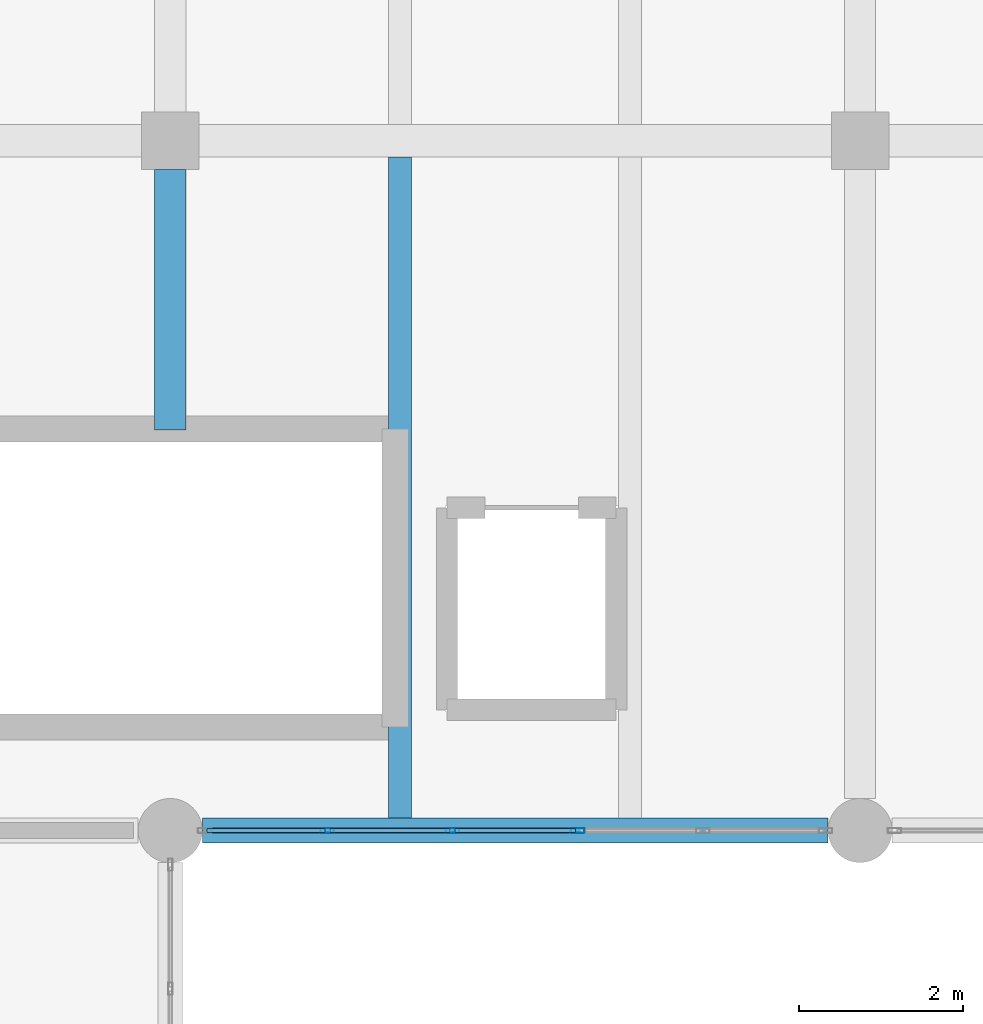
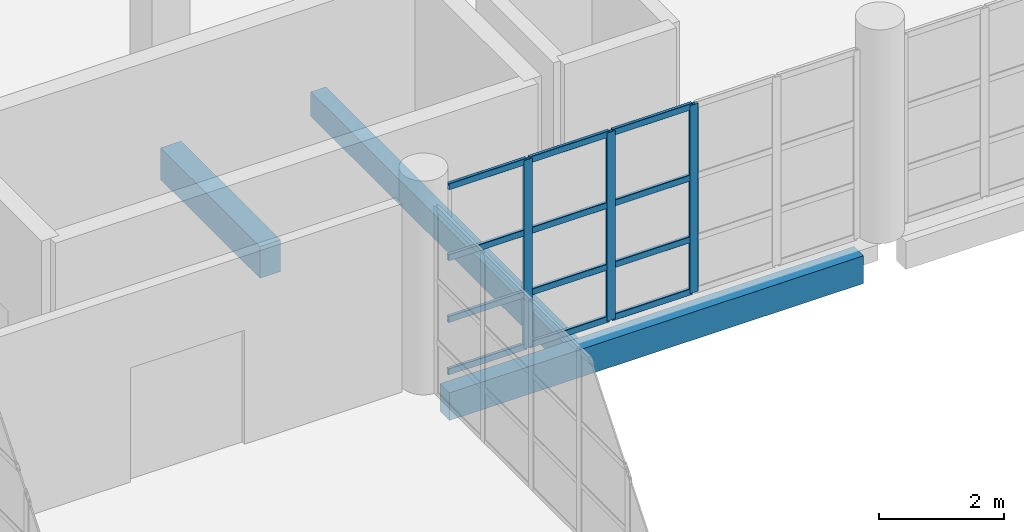
# One storey, part 62 of 177: 15 members, 3 beams, 1 element without a shape of its own.
"""IFC4 building model written with IfcOpenShell, lengths in metres."""

from ifc_helpers import new_model, si_unit, direction, frame, origin, origin_2d, place, context, subcontext, project, spatial, rectangle, hollow_rectangle, extrude, material, layer, layer_set, material_profile, profile_set, type_object, element, aggregate, save


model = new_model("IFC4")

# Units and contexts
model_context = context("Model", 3, precision=1e-05, world=origin(), true_north=direction((0.0, 1.0)))
body_context = subcontext(model_context, "Body", "Model", "MODEL_VIEW")
ifc_project = project(units=[si_unit("LENGTHUNIT", "METRE"), si_unit("AREAUNIT", "SQUARE_METRE"), si_unit("VOLUMEUNIT", "CUBIC_METRE"), si_unit("PLANEANGLEUNIT", "RADIAN"), si_unit("MASSUNIT", "GRAM", prefix="KILO"), si_unit("THERMODYNAMICTEMPERATUREUNIT", "KELVIN"), si_unit("POWERUNIT", "WATT")], contexts=[model_context])

# Site, building, storey
site_placement = place(None, origin())
site = spatial("IfcSite", under=ifc_project, at=site_placement, CompositionType="ELEMENT")
building_placement = place(site_placement, origin())
building = spatial("IfcBuilding", under=site, at=building_placement, Name="Mavoryth Pier Ferry Terminal", CompositionType="ELEMENT")
storey_placement = place(building_placement, frame((0.0, 0.0, 5.43994140625)))
storey = spatial("IfcBuildingStorey", under=building, at=storey_placement, Name="L01", CompositionType="ELEMENT", Elevation=5.43994140625)

# Beams
ifc_material_1 = material(Name="Concrete C35/45", Category="concrete")
ifc_material_profile_1 = material_profile(ifc_material_1, rectangle(XDim=0.3798828125, YDim=0.6201171875, at=origin_2d()), Name="RC 380x620", Category="concrete")
ifc_profile_set_1 = profile_set([ifc_material_profile_1], Name="Concrete C35/45 - RC 380x620")
beam_type_1 = type_object("IfcBeamType", Name="Girder-RC-380x620", PredefinedType="BEAM", material=ifc_profile_set_1)
beam_1_placement = place(storey_placement, frame((58.800048828125, 77.280029296875, -0.58984375), z_axis=(0.0, 1.0, 0.0), x_axis=(-1.0, 0.0, 0.0)))
element("IfcBeam", 1, at=beam_1_placement, inside=storey, type_object=beam_type_1, Name="Beam B01-BG06-0207", PredefinedType="BEAM", context=body_context, shape_type="SweptSolid", body=[
    extrude(rectangle(XDim=0.3798828125, YDim=0.6201171875, at=origin_2d()), origin(), (0.0, 0.0, 1.0), 3.169921875),
])
ifc_material_profile_2 = material_profile(ifc_material_1, rectangle(XDim=0.280029296875, YDim=0.47998046875, at=origin_2d()), Name="RC 280x480", Category="concrete")
ifc_profile_set_2 = profile_set([ifc_material_profile_2], Name="Concrete C35/45 - RC 280x480")
beam_type_2 = type_object("IfcBeamType", Name="Joist-RC-280x480", PredefinedType="JOIST", material=ifc_profile_set_2)
beam_2_placement = place(storey_placement, frame((61.60009765625, 72.550048828125, -0.52001953125), z_axis=(0.0, 1.0, 0.0), x_axis=(-1.0, 0.0, 0.0)))
element("IfcBeam", 2, at=beam_2_placement, inside=storey, type_object=beam_type_2, Name="Beam B01-BJ02-0233", PredefinedType="JOIST", context=body_context, shape_type="SweptSolid", body=[
    extrude(rectangle(XDim=0.280029296875, YDim=0.47998046875, at=origin_2d()), origin(), (0.0, 0.0, 1.0), 8.050048828125),
])

# Curtain wall, members
ifc_material_2 = material(Name="Anodised Aluminium and Solar-Control Low-E Glass", Category="aluminium")
ifc_layer = layer(ifc_material_2, 0.159912109375, Name="Anodised Aluminium and Solar-Control Low-E Glass", Category="aluminium")
ifc_layer_set = layer_set([ifc_layer], Name="Anodised Aluminium and Solar-Control Low-E Glass - CW-Arrivals-Mod1400")
curtain_wall_type = type_object("IfcCurtainWallType", Name="CW-Arrivals-Mod1400", PredefinedType="USERDEFINED", material=ifc_layer_set)
curtain_wall_placement = place(storey_placement, origin())
curtain_wall = element("IfcCurtainWall", 3, at=curtain_wall_placement, inside=storey, type_object=curtain_wall_type, Name="Curtain Wall CW-0122-053", ObjectType="UNITISED CURTAIN WALL", PredefinedType="USERDEFINED")
ifc_material_3 = material(Name="Anodised Aluminium EN AW-6063", Category="aluminium")
ifc_material_profile_3 = material_profile(ifc_material_3, hollow_rectangle(XDim=0.06005859375, YDim=0.1650390625, WallThickness=0.00390625, InnerFilletRadius=0.00390625, OuterFilletRadius=0.008056640625, at=origin_2d()), Name="AL-MULL 165x60x4", Category="aluminium")
ifc_profile_set_3 = profile_set([ifc_material_profile_3], Name="Anodised Aluminium EN AW-6063 - AL-MULL 165x60x4")
member_type_1 = type_object("IfcMemberType", Name="Mullion-Alum-165x60", PredefinedType="MULLION", material=ifc_profile_set_3)
member_1_placement = place(storey_placement, frame((60.714111328125, 72.39990234375, 0.0), z_axis=(0.0, 0.0, 1.0), x_axis=(0.0, 1.0, 0.0)))
member_1 = element("IfcMember", 4, at=member_1_placement, type_object=member_type_1, Name="CW04 mullion 2", PredefinedType="MULLION", context=body_context, shape_type="SweptSolid", body=[
    extrude(hollow_rectangle(XDim=0.06005859375, YDim=0.1650390625, WallThickness=0.00390625, InnerFilletRadius=0.00390625, OuterFilletRadius=0.008056640625, at=origin_2d()), origin(), (0.0, 0.0, 1.0), 3.66015625),
])
member_2_placement = place(storey_placement, frame((62.238037109375, 72.39990234375, 0.0), z_axis=(0.0, 0.0, 1.0), x_axis=(0.0, 1.0, 0.0)))
member_2 = element("IfcMember", 5, at=member_2_placement, type_object=member_type_1, Name="CW04 mullion 3", PredefinedType="MULLION", context=body_context, shape_type="SweptSolid", body=[
    extrude(hollow_rectangle(XDim=0.06005859375, YDim=0.1650390625, WallThickness=0.00390625, InnerFilletRadius=0.00390625, OuterFilletRadius=0.008056640625, at=origin_2d()), origin(), (0.0, 0.0, 1.0), 3.66015625),
])
member_3_placement = place(storey_placement, frame((63.761962890625, 72.39990234375, 0.0), z_axis=(0.0, 0.0, 1.0), x_axis=(0.0, 1.0, 0.0)))
member_3 = element("IfcMember", 6, at=member_3_placement, type_object=member_type_1, Name="CW04 mullion 4", PredefinedType="MULLION", context=body_context, shape_type="SweptSolid", body=[
    extrude(hollow_rectangle(XDim=0.06005859375, YDim=0.1650390625, WallThickness=0.00390625, InnerFilletRadius=0.00390625, OuterFilletRadius=0.008056640625, at=origin_2d()), origin(), (0.0, 0.0, 1.0), 3.66015625),
])

# Beam
ifc_material_profile_4 = material_profile(ifc_material_1, rectangle(XDim=0.300048828125, YDim=0.5400390625, at=origin_2d()), Name="RC 300x540", Category="concrete")
ifc_profile_set_4 = profile_set([ifc_material_profile_4], Name="Concrete C35/45 - RC 300x540")
beam_type_3 = type_object("IfcBeamType", Name="Spandrel-RC-300x540", PredefinedType="SPANDREL", material=ifc_profile_set_4)
beam_3_placement = place(storey_placement, frame((59.18994140625, 72.39990234375, -0.550048828125), z_axis=(1.0, 0.0, 0.0), x_axis=(0.0, 1.0, 0.0)))
element("IfcBeam", 7, at=beam_3_placement, inside=storey, type_object=beam_type_3, Name="Beam B01-SP02-0180", PredefinedType="SPANDREL", context=body_context, shape_type="SweptSolid", body=[
    extrude(rectangle(XDim=0.300048828125, YDim=0.5400390625, at=origin_2d()), origin(), (0.0, 0.0, 1.0), 7.6201171875),
])

# Member
ifc_material_profile_5 = material_profile(ifc_material_3, hollow_rectangle(XDim=0.06005859375, YDim=0.125, WallThickness=0.00390625, InnerFilletRadius=0.00390625, OuterFilletRadius=0.008056640625, at=origin_2d()), Name="AL-TRAN 125x60x4", Category="aluminium")
ifc_profile_set_5 = profile_set([ifc_material_profile_5], Name="Anodised Aluminium EN AW-6063 - AL-TRAN 125x60x4")
member_type_2 = type_object("IfcMemberType", Name="Transom-Alum-125x60", PredefinedType="USERDEFINED", material=ifc_profile_set_5)
member_4_placement = place(storey_placement, frame((59.25, 72.39990234375, 0.030029296875), z_axis=(1.0, 0.0, 0.0), x_axis=(0.0, 1.0, 0.0)))
member_4 = element("IfcMember", 8, at=member_4_placement, type_object=member_type_2, Name="CW04 transom 1.1", ObjectType="TRANSOM", PredefinedType="USERDEFINED", context=body_context, shape_type="SweptSolid", body=[
    extrude(hollow_rectangle(XDim=0.06005859375, YDim=0.125, WallThickness=0.00390625, InnerFilletRadius=0.00390625, OuterFilletRadius=0.008056640625, at=origin_2d()), origin(), (0.0, 0.0, 1.0), 1.43408203125),
])

member_5_placement = place(storey_placement, frame((59.25, 72.39990234375, 1.050048828125), z_axis=(1.0, 0.0, 0.0), x_axis=(0.0, 1.0, 0.0)))
member_5 = element("IfcMember", 9, at=member_5_placement, type_object=member_type_2, Name="CW04 transom 1.2", ObjectType="TRANSOM", PredefinedType="USERDEFINED", context=body_context, shape_type="SweptSolid", body=[
    extrude(hollow_rectangle(XDim=0.06005859375, YDim=0.125, WallThickness=0.00390625, InnerFilletRadius=0.00390625, OuterFilletRadius=0.008056640625, at=origin_2d()), origin(), (0.0, 0.0, 1.0), 1.43408203125),
])

member_6_placement = place(storey_placement, frame((59.25, 72.39990234375, 2.25), z_axis=(1.0, 0.0, 0.0), x_axis=(0.0, 1.0, 0.0)))
member_6 = element("IfcMember", 10, at=member_6_placement, type_object=member_type_2, Name="CW04 transom 1.3", ObjectType="TRANSOM", PredefinedType="USERDEFINED", context=body_context, shape_type="SweptSolid", body=[
    extrude(hollow_rectangle(XDim=0.06005859375, YDim=0.125, WallThickness=0.00390625, InnerFilletRadius=0.00390625, OuterFilletRadius=0.008056640625, at=origin_2d()), origin(), (0.0, 0.0, 1.0), 1.43408203125),
])

member_7_placement = place(storey_placement, frame((59.25, 72.39990234375, 3.630126953125), z_axis=(1.0, 0.0, 0.0), x_axis=(0.0, 1.0, 0.0)))
member_7 = element("IfcMember", 11, at=member_7_placement, type_object=member_type_2, Name="CW04 transom 1.4", ObjectType="TRANSOM", PredefinedType="USERDEFINED", context=body_context, shape_type="SweptSolid", body=[
    extrude(hollow_rectangle(XDim=0.06005859375, YDim=0.125, WallThickness=0.00390625, InnerFilletRadius=0.00390625, OuterFilletRadius=0.008056640625, at=origin_2d()), origin(), (0.0, 0.0, 1.0), 1.43408203125),
])

member_8_placement = place(storey_placement, frame((60.743896484375, 72.39990234375, 0.030029296875), z_axis=(1.0, 0.0, 0.0), x_axis=(0.0, 1.0, 0.0)))
member_8 = element("IfcMember", 12, at=member_8_placement, type_object=member_type_2, Name="CW04 transom 2.1", ObjectType="TRANSOM", PredefinedType="USERDEFINED", context=body_context, shape_type="SweptSolid", body=[
    extrude(hollow_rectangle(XDim=0.06005859375, YDim=0.125, WallThickness=0.00390625, InnerFilletRadius=0.00390625, OuterFilletRadius=0.008056640625, at=origin_2d()), origin(), (0.0, 0.0, 1.0), 1.464111328125),
])

member_9_placement = place(storey_placement, frame((60.743896484375, 72.39990234375, 1.050048828125), z_axis=(1.0, 0.0, 0.0), x_axis=(0.0, 1.0, 0.0)))
member_9 = element("IfcMember", 13, at=member_9_placement, type_object=member_type_2, Name="CW04 transom 2.2", ObjectType="TRANSOM", PredefinedType="USERDEFINED", context=body_context, shape_type="SweptSolid", body=[
    extrude(hollow_rectangle(XDim=0.06005859375, YDim=0.125, WallThickness=0.00390625, InnerFilletRadius=0.00390625, OuterFilletRadius=0.008056640625, at=origin_2d()), origin(), (0.0, 0.0, 1.0), 1.464111328125),
])

member_10_placement = place(storey_placement, frame((60.743896484375, 72.39990234375, 2.25), z_axis=(1.0, 0.0, 0.0), x_axis=(0.0, 1.0, 0.0)))
member_10 = element("IfcMember", 14, at=member_10_placement, type_object=member_type_2, Name="CW04 transom 2.3", ObjectType="TRANSOM", PredefinedType="USERDEFINED", context=body_context, shape_type="SweptSolid", body=[
    extrude(hollow_rectangle(XDim=0.06005859375, YDim=0.125, WallThickness=0.00390625, InnerFilletRadius=0.00390625, OuterFilletRadius=0.008056640625, at=origin_2d()), origin(), (0.0, 0.0, 1.0), 1.464111328125),
])

member_11_placement = place(storey_placement, frame((60.743896484375, 72.39990234375, 3.630126953125), z_axis=(1.0, 0.0, 0.0), x_axis=(0.0, 1.0, 0.0)))
member_11 = element("IfcMember", 15, at=member_11_placement, type_object=member_type_2, Name="CW04 transom 2.4", ObjectType="TRANSOM", PredefinedType="USERDEFINED", context=body_context, shape_type="SweptSolid", body=[
    extrude(hollow_rectangle(XDim=0.06005859375, YDim=0.125, WallThickness=0.00390625, InnerFilletRadius=0.00390625, OuterFilletRadius=0.008056640625, at=origin_2d()), origin(), (0.0, 0.0, 1.0), 1.464111328125),
])

member_12_placement = place(storey_placement, frame((62.26806640625, 72.39990234375, 0.030029296875), z_axis=(1.0, 0.0, 0.0), x_axis=(0.0, 1.0, 0.0)))
member_12 = element("IfcMember", 16, at=member_12_placement, type_object=member_type_2, Name="CW04 transom 3.1", ObjectType="TRANSOM", PredefinedType="USERDEFINED", context=body_context, shape_type="SweptSolid", body=[
    extrude(hollow_rectangle(XDim=0.06005859375, YDim=0.125, WallThickness=0.00390625, InnerFilletRadius=0.00390625, OuterFilletRadius=0.008056640625, at=origin_2d()), origin(), (0.0, 0.0, 1.0), 1.4638671875),
])

member_13_placement = place(storey_placement, frame((62.26806640625, 72.39990234375, 1.050048828125), z_axis=(1.0, 0.0, 0.0), x_axis=(0.0, 1.0, 0.0)))
member_13 = element("IfcMember", 17, at=member_13_placement, type_object=member_type_2, Name="CW04 transom 3.2", ObjectType="TRANSOM", PredefinedType="USERDEFINED", context=body_context, shape_type="SweptSolid", body=[
    extrude(hollow_rectangle(XDim=0.06005859375, YDim=0.125, WallThickness=0.00390625, InnerFilletRadius=0.00390625, OuterFilletRadius=0.008056640625, at=origin_2d()), origin(), (0.0, 0.0, 1.0), 1.4638671875),
])

member_14_placement = place(storey_placement, frame((62.26806640625, 72.39990234375, 2.25), z_axis=(1.0, 0.0, 0.0), x_axis=(0.0, 1.0, 0.0)))
member_14 = element("IfcMember", 18, at=member_14_placement, type_object=member_type_2, Name="CW04 transom 3.3", ObjectType="TRANSOM", PredefinedType="USERDEFINED", context=body_context, shape_type="SweptSolid", body=[
    extrude(hollow_rectangle(XDim=0.06005859375, YDim=0.125, WallThickness=0.00390625, InnerFilletRadius=0.00390625, OuterFilletRadius=0.008056640625, at=origin_2d()), origin(), (0.0, 0.0, 1.0), 1.4638671875),
])

member_15_placement = place(storey_placement, frame((62.26806640625, 72.39990234375, 3.630126953125), z_axis=(1.0, 0.0, 0.0), x_axis=(0.0, 1.0, 0.0)))
member_15 = element("IfcMember", 19, at=member_15_placement, type_object=member_type_2, Name="CW04 transom 3.4", ObjectType="TRANSOM", PredefinedType="USERDEFINED", context=body_context, shape_type="SweptSolid", body=[
    extrude(hollow_rectangle(XDim=0.06005859375, YDim=0.125, WallThickness=0.00390625, InnerFilletRadius=0.00390625, OuterFilletRadius=0.008056640625, at=origin_2d()), origin(), (0.0, 0.0, 1.0), 1.4638671875),
])

aggregate(curtain_wall, [member_1, member_2, member_3, member_4, member_5, member_6, member_7, member_8, member_9, member_10, member_11, member_12, member_13, member_14, member_15])

save(model, "model.ifc")
